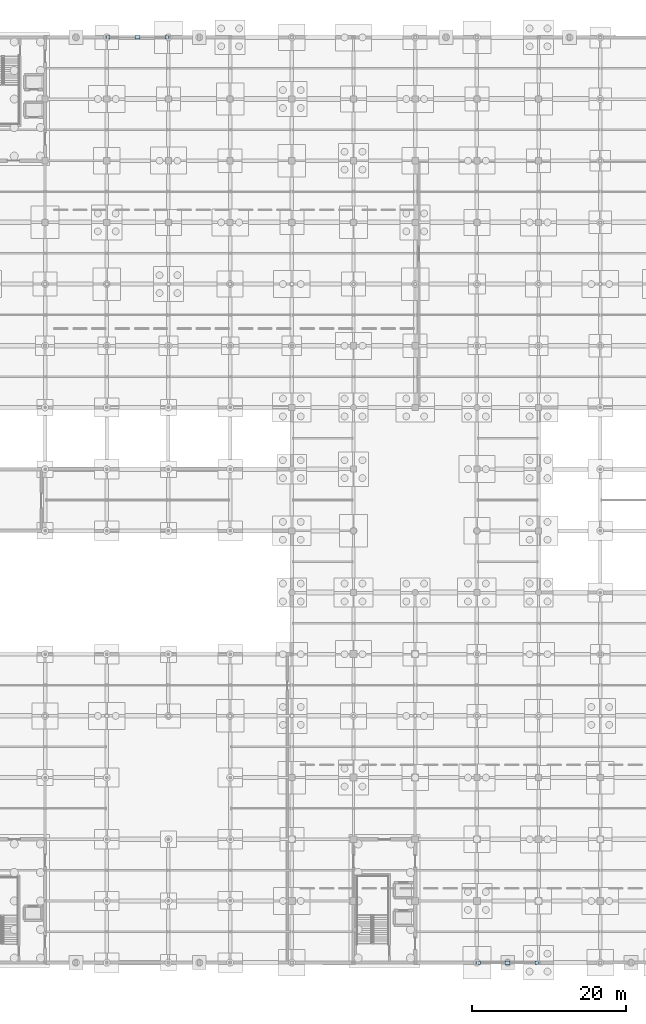
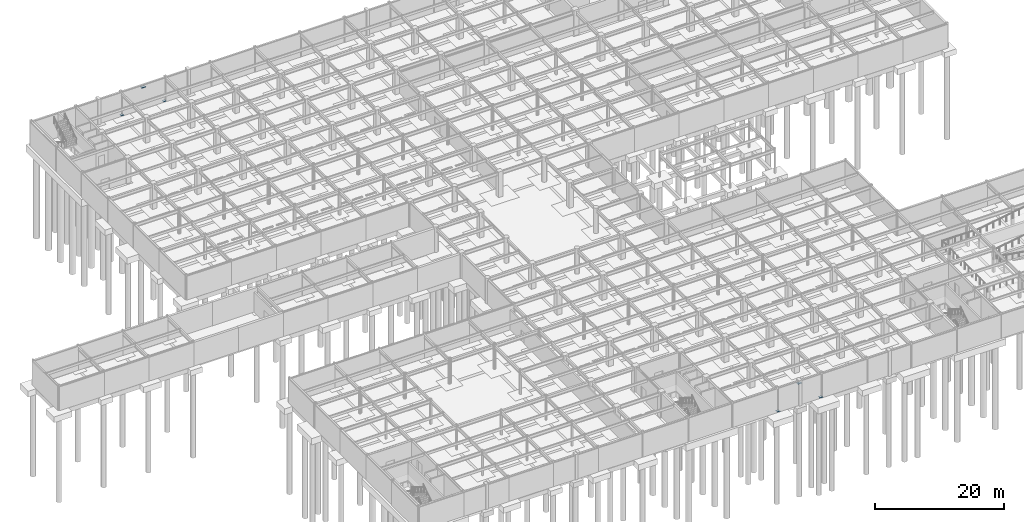
# One storey, part 54 of 105: 6 plates.
"""IFC4 building model written with IfcOpenShell, lengths in metres."""

from ifc_helpers import new_model, si_unit, direction, frame, origin, origin_2d, place, context, subcontext, project, spatial, rectangle, extrude, material, layer, layer_set, type_object, element, save


model = new_model("IFC4")

# Units and contexts
model_context = context("Model", 3, precision=1e-05, world=origin(), true_north=direction((0.0, 1.0)))
body_context = subcontext(model_context, "Body", "Model", "MODEL_VIEW")
ifc_project = project(units=[si_unit("LENGTHUNIT", "METRE"), si_unit("AREAUNIT", "SQUARE_METRE"), si_unit("VOLUMEUNIT", "CUBIC_METRE"), si_unit("PLANEANGLEUNIT", "RADIAN"), si_unit("MASSUNIT", "GRAM", prefix="KILO")], contexts=[model_context])

# Site, building, storey
site_placement = place(None, origin())
site = spatial("IfcSite", under=ifc_project, at=site_placement, CompositionType="ELEMENT")
building_placement = place(site_placement, origin())
building = spatial("IfcBuilding", under=site, at=building_placement, Name="Solmirada Galleria", CompositionType="ELEMENT")
storey_placement = place(building_placement, frame((0.0, 0.0, -4.800048828125)))
storey = spatial("IfcBuildingStorey", under=building, at=storey_placement, Name="B1", CompositionType="ELEMENT", Elevation=-4.800048828125)

# Plates
ifc_material = material(Name="Steel S355 / ASTM A572 Grade 50", Category="steel")
ifc_layer_1 = layer(ifc_material, 0.028076171875)
ifc_layer_set_1 = layer_set([ifc_layer_1], Name="Steel S355 / ASTM A572 Grade 50")
plate_type_1 = type_object("IfcPlateType", Name="PLT-NODE-02", PredefinedType="SHEET", material=ifc_layer_set_1)
for number, where, z_axis, x_axis, name in (
    (1, (56.202880859375, 120.0, 0.1259765625), (0.0, 0.0, 1.0), (1.0, 0.0, 0.0), "Braced frame gusset plate CBF-N1 B1 LA"),
    (2, (63.797119140625, 120.0, 0.1259765625), (0.0, 0.0, 1.0), (1.0, 0.0, 0.0), "Braced frame gusset plate CBF-N1 B1 RA"),
    (3, (104.202880859375, 0.0, 0.1259765625), (0.0, 0.0, 1.0), (1.0, 0.0, 0.0), "Braced frame gusset plate CBF-S1 B1 LA"),
    (4, (111.797119140625, 0.0, 0.1259765625), (0.0, 0.0, 1.0), (1.0, 0.0, 0.0), "Braced frame gusset plate CBF-S1 B1 RA"),
):
    element("IfcPlate", number, at=place(storey_placement, frame(where, z_axis=z_axis, x_axis=x_axis)), inside=storey, type_object=plate_type_1, Name=name, PredefinedType="SHEET", context=body_context, shape_type="SweptSolid", body=[
        extrude(rectangle(XDim=0.47998046875, YDim=0.47998046875, at=origin_2d()), origin(), (0.0, 0.0, 1.0), 0.028076171875),
    ])
ifc_layer_2 = layer(ifc_material, 0.035888671875)
ifc_layer_set_2 = layer_set([ifc_layer_2], Name="Steel S355 / ASTM A572 Grade 50")
plate_type_2 = type_object("IfcPlateType", Name="PLT-NODE-04", PredefinedType="SHEET", material=ifc_layer_set_2)
for number, where, z_axis, x_axis, name in (
    (5, (60.0, 120.0, 4.06201171875), (0.0, 0.0, 1.0), (1.0, 0.0, 0.0), "Braced frame gusset plate CBF-N1 B1 AP"),
    (6, (108.0, 0.0, 4.06201171875), (0.0, 0.0, 1.0), (1.0, 0.0, 0.0), "Braced frame gusset plate CBF-S1 B1 AP"),
):
    element("IfcPlate", number, at=place(storey_placement, frame(where, z_axis=z_axis, x_axis=x_axis)), inside=storey, type_object=plate_type_2, Name=name, PredefinedType="SHEET", context=body_context, shape_type="SweptSolid", body=[
        extrude(rectangle(XDim=0.64990234375, YDim=0.449951171875, at=origin_2d()), origin(), (0.0, 0.0, 1.0), 0.035888671875),
    ])

save(model, "model.ifc")
